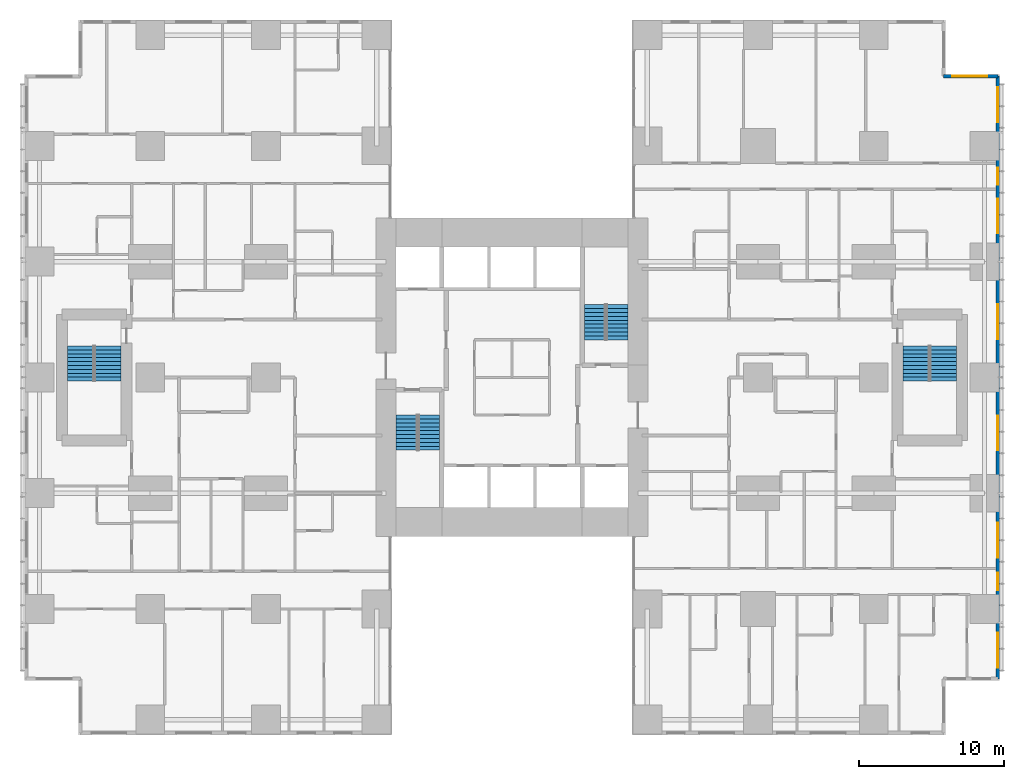
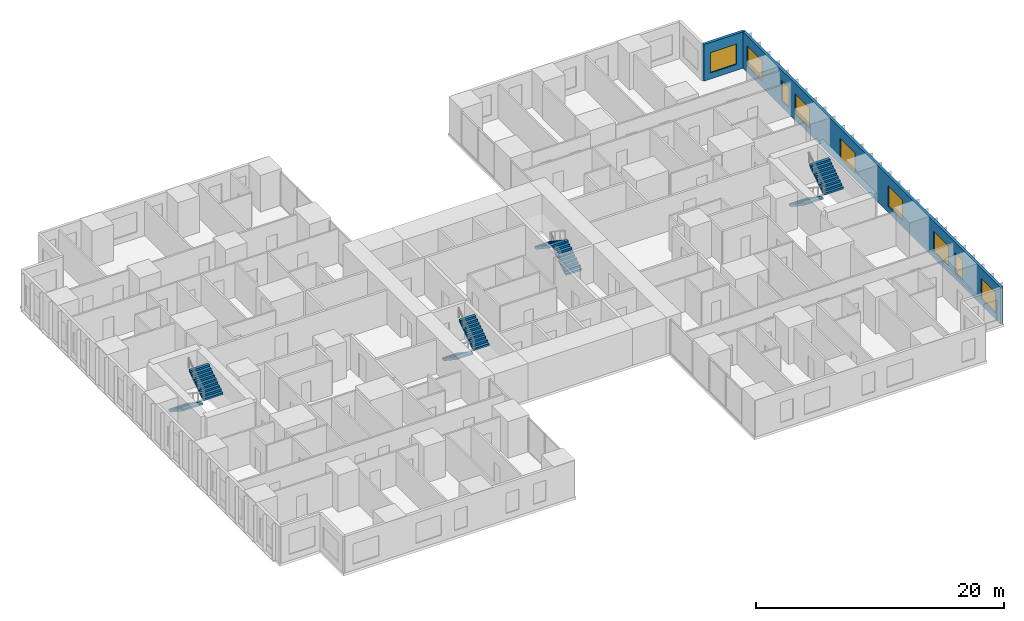
# One storey, part 19 of 20: 9 windows, 8 stair flights, 2 walls, 9 openings, 4 elements without a shape of their own.
"""IFC4 building model written with IfcOpenShell, lengths in metres."""

from ifc_helpers import new_model, si_unit, direction, frame, frame_2d, origin, place, context, subcontext, project, spatial, polyline, rectangle, outline, extrude, material, layer, layer_set, type_object, element, fill, aggregate, save


model = new_model("IFC4")

# Units and contexts
model_context = context("Model", 3, precision=1e-05, world=origin(), true_north=direction((0.0, 1.0)))
body_context = subcontext(model_context, "Body", "Model", "MODEL_VIEW")
ifc_project = project(units=[si_unit("LENGTHUNIT", "METRE"), si_unit("AREAUNIT", "SQUARE_METRE"), si_unit("VOLUMEUNIT", "CUBIC_METRE"), si_unit("PLANEANGLEUNIT", "RADIAN"), si_unit("MASSUNIT", "GRAM", prefix="KILO")], contexts=[model_context])

# Site, building, storey
site_placement = place(None, origin())
site = spatial("IfcSite", under=ifc_project, at=site_placement, CompositionType="ELEMENT")
building_placement = place(site_placement, origin())
building = spatial("IfcBuilding", under=site, at=building_placement, Name="Cleftline Residences", CompositionType="ELEMENT")
storey_placement = place(building_placement, frame((0.0, 0.0, 47.60009765625)))
storey = spatial("IfcBuildingStorey", under=building, at=storey_placement, Name="L11", CompositionType="ELEMENT", Elevation=47.60009765625)

# Wall, openings, windows
ifc_material_1 = material(Name="Rendered reinforced concrete blockwork", Category="masonry")
ifc_layer = layer(ifc_material_1, 0.25)
ifc_layer_set = layer_set([ifc_layer], Name="EXTERNAL WALL 250")
wall_type = type_object("IfcWallType", Name="EXTERNAL WALL 250", PredefinedType="SOLIDWALL", material=ifc_layer_set)
wall_1_placement = place(storey_placement, frame((66.574951171875, 3.175048828125, 0.0), z_axis=(0.0, 0.0, 1.0), x_axis=(0.0, 1.0, 0.0)))
wall_1 = element("IfcWall", 1, at=wall_1_placement, inside=storey, type_object=wall_type, Name="External wall", PredefinedType="SOLIDWALL", context=body_context, shape_type="SweptSolid", body=[
    extrude(rectangle(XDim=41.64990234375, YDim=0.25, at=frame_2d((20.824951171875, 0.0))), origin(), (0.0, 0.0, 1.0), 3.599853515625),
])
opening_1_placement = place(wall_1_placement, frame((0.77490234375, 0.0, 0.60009765625)))
opening_1 = element("IfcOpeningElement", 2, at=opening_1_placement, cuts=wall_1, Name="Opening W6", PredefinedType="OPENING", context=body_context, shape_type="SweptSolid", body=[
    extrude(rectangle(XDim=2.39990234375, YDim=2.0, at=frame_2d((1.199951171875, 1.0))), frame((0.0, 0.135009765625, 0.0), z_axis=(0.0, -1.0, 0.0), x_axis=(1.0, 0.0, 0.0)), (0.0, 0.0, 1.0), 0.27001953125),
])
opening_2_placement = place(wall_1_placement, frame((6.125, 0.0, 0.60009765625)))
opening_2 = element("IfcOpeningElement", 3, at=opening_2_placement, cuts=wall_1, Name="Opening W8", PredefinedType="OPENING", context=body_context, shape_type="SweptSolid", body=[
    extrude(rectangle(XDim=1.199951171875, YDim=2.0, at=frame_2d((0.60009765625, 1.0))), frame((0.0, 0.135009765625, 0.0), z_axis=(0.0, -1.0, 0.0), x_axis=(1.0, 0.0, 0.0)), (0.0, 0.0, 1.0), 0.27001953125),
])
opening_3_placement = place(wall_1_placement, frame((8.375, 0.0, 0.60009765625)))
opening_3 = element("IfcOpeningElement", 4, at=opening_3_placement, cuts=wall_1, Name="Opening W6", PredefinedType="OPENING", context=body_context, shape_type="SweptSolid", body=[
    extrude(rectangle(XDim=2.39990234375, YDim=2.0, at=frame_2d((1.199951171875, 1.0))), frame((0.0, 0.135009765625, 0.0), z_axis=(0.0, -1.0, 0.0), x_axis=(1.0, 0.0, 0.0)), (0.0, 0.0, 1.0), 0.27001953125),
])
opening_4_placement = place(wall_1_placement, frame((15.77490234375, 0.0, 0.60009765625)))
opening_4 = element("IfcOpeningElement", 5, at=opening_4_placement, cuts=wall_1, Name="Opening W6", PredefinedType="OPENING", context=body_context, shape_type="SweptSolid", body=[
    extrude(rectangle(XDim=2.39990234375, YDim=2.0, at=frame_2d((1.199951171875, 1.0))), frame((0.0, 0.135009765625, 0.0), z_axis=(0.0, -1.0, 0.0), x_axis=(1.0, 0.0, 0.0)), (0.0, 0.0, 1.0), 0.27001953125),
])
opening_5_placement = place(wall_1_placement, frame((23.47509765625, 0.0, 0.60009765625)))
opening_5 = element("IfcOpeningElement", 6, at=opening_5_placement, cuts=wall_1, Name="Opening W6", PredefinedType="OPENING", context=body_context, shape_type="SweptSolid", body=[
    extrude(rectangle(XDim=2.39990234375, YDim=2.0, at=frame_2d((1.199951171875, 1.0))), frame((0.0, 0.135009765625, 0.0), z_axis=(0.0, -1.0, 0.0), x_axis=(1.0, 0.0, 0.0)), (0.0, 0.0, 1.0), 0.27001953125),
])
opening_6_placement = place(wall_1_placement, frame((30.77490234375, 0.0, 0.60009765625)))
opening_6 = element("IfcOpeningElement", 7, at=opening_6_placement, cuts=wall_1, Name="Opening W6", PredefinedType="OPENING", context=body_context, shape_type="SweptSolid", body=[
    extrude(rectangle(XDim=2.39990234375, YDim=2.0, at=frame_2d((1.199951171875, 1.0))), frame((0.0, 0.135009765625, 0.0), z_axis=(0.0, -1.0, 0.0), x_axis=(1.0, 0.0, 0.0)), (0.0, 0.0, 1.0), 0.27001953125),
])
opening_7_placement = place(wall_1_placement, frame((34.125, 0.0, 0.60009765625)))
opening_7 = element("IfcOpeningElement", 8, at=opening_7_placement, cuts=wall_1, Name="Opening W8", PredefinedType="OPENING", context=body_context, shape_type="SweptSolid", body=[
    extrude(rectangle(XDim=1.199951171875, YDim=2.0, at=frame_2d((0.60009765625, 1.0))), frame((0.0, 0.135009765625, 0.0), z_axis=(0.0, -1.0, 0.0), x_axis=(1.0, 0.0, 0.0)), (0.0, 0.0, 1.0), 0.27001953125),
])
opening_8_placement = place(wall_1_placement, frame((38.47509765625, 0.0, 0.60009765625)))
opening_8 = element("IfcOpeningElement", 9, at=opening_8_placement, cuts=wall_1, Name="Opening W6", PredefinedType="OPENING", context=body_context, shape_type="SweptSolid", body=[
    extrude(rectangle(XDim=2.39990234375, YDim=2.0, at=frame_2d((1.199951171875, 1.0))), frame((0.0, 0.135009765625, 0.0), z_axis=(0.0, -1.0, 0.0), x_axis=(1.0, 0.0, 0.0)), (0.0, 0.0, 1.0), 0.27001953125),
])
ifc_material_2 = material(Name="Aluminium frame, clear double glazing", Category="aluminium")
window_type_1 = type_object("IfcWindowType", Name="WINDOW 1200X2000", PartitioningType="DOUBLE_PANEL_VERTICAL", PredefinedType="WINDOW", material=ifc_material_2)
window_1_placement = place(opening_2_placement, origin())
window_1 = element("IfcWindow", 10, at=window_1_placement, inside=storey, type_object=window_type_1, Name="Window", OverallHeight=2.0, OverallWidth=1.199951171875, PartitioningType="SINGLE_PANEL", PredefinedType="WINDOW", context=body_context, shape_type="SweptSolid", body=[
    extrude(rectangle(XDim=1.199951171875, YDim=2.0, at=frame_2d((0.60009765625, 1.0))), frame((0.0, 0.030029296875, 0.0), z_axis=(0.0, -1.0, 0.0), x_axis=(1.0, 0.0, 0.0)), (0.0, 0.0, 1.0), 0.06005859375),
])
fill(opening_2, window_1)
window_2_placement = place(opening_7_placement, origin())
window_2 = element("IfcWindow", 11, at=window_2_placement, inside=storey, type_object=window_type_1, Name="Window", OverallHeight=2.0, OverallWidth=1.199951171875, PartitioningType="SINGLE_PANEL", PredefinedType="WINDOW", context=body_context, shape_type="SweptSolid", body=[
    extrude(rectangle(XDim=1.199951171875, YDim=2.0, at=frame_2d((0.60009765625, 1.0))), frame((0.0, 0.030029296875, 0.0), z_axis=(0.0, -1.0, 0.0), x_axis=(1.0, 0.0, 0.0)), (0.0, 0.0, 1.0), 0.06005859375),
])
fill(opening_7, window_2)
ifc_material_3 = material(Name="Aluminium frame, clear double glazing", Category="aluminium")
window_type_2 = type_object("IfcWindowType", Name="WINDOW 2400X2000", PartitioningType="DOUBLE_PANEL_VERTICAL", PredefinedType="WINDOW", material=ifc_material_3)
window_3_placement = place(opening_1_placement, origin())
window_3 = element("IfcWindow", 12, at=window_3_placement, inside=storey, type_object=window_type_2, Name="Window", OverallHeight=2.0, OverallWidth=2.39990234375, PartitioningType="SINGLE_PANEL", PredefinedType="WINDOW", context=body_context, shape_type="SweptSolid", body=[
    extrude(rectangle(XDim=2.39990234375, YDim=2.0, at=frame_2d((1.199951171875, 1.0))), frame((0.0, 0.030029296875, 0.0), z_axis=(0.0, -1.0, 0.0), x_axis=(1.0, 0.0, 0.0)), (0.0, 0.0, 1.0), 0.06005859375),
])
fill(opening_1, window_3)
window_4_placement = place(opening_3_placement, origin())
window_4 = element("IfcWindow", 13, at=window_4_placement, inside=storey, type_object=window_type_2, Name="Window", OverallHeight=2.0, OverallWidth=2.39990234375, PartitioningType="SINGLE_PANEL", PredefinedType="WINDOW", context=body_context, shape_type="SweptSolid", body=[
    extrude(rectangle(XDim=2.39990234375, YDim=2.0, at=frame_2d((1.199951171875, 1.0))), frame((0.0, 0.030029296875, 0.0), z_axis=(0.0, -1.0, 0.0), x_axis=(1.0, 0.0, 0.0)), (0.0, 0.0, 1.0), 0.06005859375),
])
fill(opening_3, window_4)
window_5_placement = place(opening_4_placement, origin())
window_5 = element("IfcWindow", 14, at=window_5_placement, inside=storey, type_object=window_type_2, Name="Window", OverallHeight=2.0, OverallWidth=2.39990234375, PartitioningType="SINGLE_PANEL", PredefinedType="WINDOW", context=body_context, shape_type="SweptSolid", body=[
    extrude(rectangle(XDim=2.39990234375, YDim=2.0, at=frame_2d((1.199951171875, 1.0))), frame((0.0, 0.030029296875, 0.0), z_axis=(0.0, -1.0, 0.0), x_axis=(1.0, 0.0, 0.0)), (0.0, 0.0, 1.0), 0.06005859375),
])
fill(opening_4, window_5)
window_6_placement = place(opening_5_placement, origin())
window_6 = element("IfcWindow", 15, at=window_6_placement, inside=storey, type_object=window_type_2, Name="Window", OverallHeight=2.0, OverallWidth=2.39990234375, PartitioningType="SINGLE_PANEL", PredefinedType="WINDOW", context=body_context, shape_type="SweptSolid", body=[
    extrude(rectangle(XDim=2.39990234375, YDim=2.0, at=frame_2d((1.199951171875, 1.0))), frame((0.0, 0.030029296875, 0.0), z_axis=(0.0, -1.0, 0.0), x_axis=(1.0, 0.0, 0.0)), (0.0, 0.0, 1.0), 0.06005859375),
])
fill(opening_5, window_6)
window_7_placement = place(opening_6_placement, origin())
window_7 = element("IfcWindow", 16, at=window_7_placement, inside=storey, type_object=window_type_2, Name="Window", OverallHeight=2.0, OverallWidth=2.39990234375, PartitioningType="SINGLE_PANEL", PredefinedType="WINDOW", context=body_context, shape_type="SweptSolid", body=[
    extrude(rectangle(XDim=2.39990234375, YDim=2.0, at=frame_2d((1.199951171875, 1.0))), frame((0.0, 0.030029296875, 0.0), z_axis=(0.0, -1.0, 0.0), x_axis=(1.0, 0.0, 0.0)), (0.0, 0.0, 1.0), 0.06005859375),
])
fill(opening_6, window_7)
window_8_placement = place(opening_8_placement, origin())
window_8 = element("IfcWindow", 17, at=window_8_placement, inside=storey, type_object=window_type_2, Name="Window", OverallHeight=2.0, OverallWidth=2.39990234375, PartitioningType="SINGLE_PANEL", PredefinedType="WINDOW", context=body_context, shape_type="SweptSolid", body=[
    extrude(rectangle(XDim=2.39990234375, YDim=2.0, at=frame_2d((1.199951171875, 1.0))), frame((0.0, 0.030029296875, 0.0), z_axis=(0.0, -1.0, 0.0), x_axis=(1.0, 0.0, 0.0)), (0.0, 0.0, 1.0), 0.06005859375),
])
fill(opening_8, window_8)

# Wall, opening, window
wall_2_placement = place(storey_placement, frame((66.574951171875, 44.824951171875, 0.0), z_axis=(0.0, 0.0, 1.0), x_axis=(-1.0, 0.0, 0.0)))
wall_2 = element("IfcWall", 18, at=wall_2_placement, inside=storey, type_object=wall_type, Name="External wall", PredefinedType="SOLIDWALL", context=body_context, shape_type="SweptSolid", body=[
    extrude(rectangle(XDim=3.75, YDim=0.25, at=frame_2d((1.875, 0.0))), origin(), (0.0, 0.0, 1.0), 3.599853515625),
])
opening_9_placement = place(wall_2_placement, frame((0.737548828125, 0.0, 0.60009765625)))
opening_9 = element("IfcOpeningElement", 19, at=opening_9_placement, cuts=wall_2, Name="Opening W6", PredefinedType="OPENING", context=body_context, shape_type="SweptSolid", body=[
    extrude(rectangle(XDim=2.39990234375, YDim=2.0, at=frame_2d((1.199951171875, 1.0))), frame((0.0, 0.135009765625, 0.0), z_axis=(0.0, -1.0, 0.0), x_axis=(1.0, 0.0, 0.0)), (0.0, 0.0, 1.0), 0.27001953125),
])
window_9_placement = place(opening_9_placement, origin())
window_9 = element("IfcWindow", 20, at=window_9_placement, inside=storey, type_object=window_type_2, Name="Window", OverallHeight=2.0, OverallWidth=2.39990234375, PartitioningType="SINGLE_PANEL", PredefinedType="WINDOW", context=body_context, shape_type="SweptSolid", body=[
    extrude(rectangle(XDim=2.39990234375, YDim=2.0, at=frame_2d((1.199951171875, 1.0))), frame((0.0, 0.030029296875, 0.0), z_axis=(0.0, -1.0, 0.0), x_axis=(1.0, 0.0, 0.0)), (0.0, 0.0, 1.0), 0.06005859375),
])
fill(opening_9, window_9)

# Stair, stair flights
ifc_material_4 = material(Name="Concrete B45, stone treads", Category="masonry")
stair_type_1 = type_object("IfcStairType", Name="STAIR A 1450 WIDE 180 RISER", PredefinedType="HALF_TURN_STAIR", material=ifc_material_4)
stair_1_placement = place(storey_placement, origin())
stair_1 = element("IfcStair", 21, at=stair_1_placement, inside=storey, type_object=stair_type_1, Name="Stair A L11", PredefinedType="HALF_TURN_STAIR")
ifc_material_5 = material(Name="Concrete B45", Category="concrete")
stair_flight_type_1 = type_object("IfcStairFlightType", Name="STAIR A FLIGHT 1450X180", PredefinedType="STRAIGHT", material=ifc_material_5)
stair_flight_1_placement = place(storey_placement, frame((25.72509765625, 21.39990234375, 0.0), z_axis=(0.0, 0.0, 1.0), x_axis=(0.0, -1.0, 0.0)))
stair_flight_1 = element("IfcStairFlight", 22, at=stair_flight_1_placement, type_object=stair_flight_type_1, Name="ST-A flight 1", NumberOfRisers=10, NumberOfTreads=9, PredefinedType="STRAIGHT", RiserHeight=0.18, TreadLength=0.27, context=body_context, shape_type="SweptSolid", body=[
    extrude(outline(polyline([(0.0, 0.0), (0.0, 0.013916015625), (0.0, 0.027587890625), (0.0, 0.04150390625), (0.0, 0.055419921875), (0.0, 0.0693359375), (0.0, 0.0830078125), (0.0, 0.096923828125), (0.0, 0.11083984375), (0.0, 0.12451171875), (0.0, 0.138427734375), (0.0, 0.15234375), (0.0, 0.166259765625), (0.0, 0.179931640625), (0.27001953125, 0.179931640625), (0.27001953125, 0.360107421875), (0.5400390625, 0.360107421875), (0.5400390625, 0.5400390625), (0.81005859375, 0.5400390625), (0.81005859375, 0.719970703125), (1.080078125, 0.719970703125), (1.080078125, 0.89990234375), (1.35009765625, 0.89990234375), (1.35009765625, 1.080078125), (1.6201171875, 1.080078125), (1.6201171875, 1.260009765625), (1.889892578125, 1.260009765625), (1.889892578125, 1.43994140625), (2.159912109375, 1.43994140625), (2.159912109375, 1.6201171875), (2.429931640625, 1.6201171875), (2.429931640625, 1.800048828125), (2.429931640625, 1.772216796875), (2.429931640625, 1.74462890625), (2.429931640625, 1.716796875), (2.429931640625, 1.689208984375), (2.429931640625, 1.661376953125), (2.429931640625, 1.6337890625), (2.429931640625, 1.60595703125), (2.429931640625, 1.578369140625), (2.429931640625, 1.550537109375), (2.429931640625, 1.52294921875), (2.429931640625, 1.495361328125), (2.429931640625, 1.467529296875), (2.429931640625, 1.43994140625), (0.270263671875, 0.0), (0.0, 0.0)])), frame((0.0, 0.72509765625, 0.0), z_axis=(0.0, -1.0, 0.0), x_axis=(1.0, 0.0, 0.0)), (0.0, 0.0, 1.0), 1.449951171875),
])
stair_flight_2_placement = place(storey_placement, frame((27.27490234375, 18.969970703125, 1.7998046875), z_axis=(0.0, 0.0, 1.0), x_axis=(0.0, 1.0, 0.0)))
stair_flight_2 = element("IfcStairFlight", 23, at=stair_flight_2_placement, type_object=stair_flight_type_1, Name="ST-A flight 2", NumberOfRisers=10, NumberOfTreads=9, PredefinedType="STRAIGHT", RiserHeight=0.18, TreadLength=0.27, context=body_context, shape_type="SweptSolid", body=[
    extrude(outline(polyline([(0.0, 0.0), (0.0, 0.013916015625), (0.0, 0.027587890625), (0.0, 0.04150390625), (0.0, 0.055419921875), (0.0, 0.0693359375), (0.0, 0.0830078125), (0.0, 0.096923828125), (0.0, 0.11083984375), (0.0, 0.12451171875), (0.0, 0.138427734375), (0.0, 0.15234375), (0.0, 0.166259765625), (0.0, 0.179931640625), (0.27001953125, 0.179931640625), (0.27001953125, 0.360107421875), (0.5400390625, 0.360107421875), (0.5400390625, 0.5400390625), (0.81005859375, 0.5400390625), (0.81005859375, 0.719970703125), (1.080078125, 0.719970703125), (1.080078125, 0.89990234375), (1.35009765625, 0.89990234375), (1.35009765625, 1.080078125), (1.6201171875, 1.080078125), (1.6201171875, 1.260009765625), (1.889892578125, 1.260009765625), (1.889892578125, 1.43994140625), (2.159912109375, 1.43994140625), (2.159912109375, 1.6201171875), (2.429931640625, 1.6201171875), (2.429931640625, 1.800048828125), (2.429931640625, 1.772216796875), (2.429931640625, 1.74462890625), (2.429931640625, 1.716796875), (2.429931640625, 1.689208984375), (2.429931640625, 1.661376953125), (2.429931640625, 1.6337890625), (2.429931640625, 1.60595703125), (2.429931640625, 1.578369140625), (2.429931640625, 1.550537109375), (2.429931640625, 1.52294921875), (2.429931640625, 1.495361328125), (2.429931640625, 1.467529296875), (2.429931640625, 1.43994140625), (0.270263671875, 0.0), (0.0, 0.0)])), frame((0.0, 0.72509765625, 0.0), z_axis=(0.0, -1.0, 0.0), x_axis=(1.0, 0.0, 0.0)), (0.0, 0.0, 1.0), 1.449951171875),
])
aggregate(stair_1, [stair_flight_1, stair_flight_2])

ifc_material_6 = material(Name="Concrete B45, stone treads", Category="masonry")
stair_type_2 = type_object("IfcStairType", Name="STAIR B 1450 WIDE 180 RISER", PredefinedType="HALF_TURN_STAIR", material=ifc_material_6)
stair_2_placement = place(storey_placement, origin())
stair_2 = element("IfcStair", 24, at=stair_2_placement, inside=storey, type_object=stair_type_2, Name="Stair B L11", PredefinedType="HALF_TURN_STAIR")
ifc_material_7 = material(Name="Concrete B45", Category="concrete")
stair_flight_type_2 = type_object("IfcStairFlightType", Name="STAIR B FLIGHT 1450X180", PredefinedType="STRAIGHT", material=ifc_material_7)
stair_flight_3_placement = place(storey_placement, frame((40.27490234375, 26.60009765625, 0.0), z_axis=(0.0, 0.0, 1.0), x_axis=(0.0, 1.0, 0.0)))
stair_flight_3 = element("IfcStairFlight", 25, at=stair_flight_3_placement, type_object=stair_flight_type_2, Name="ST-B flight 1", NumberOfRisers=10, NumberOfTreads=9, PredefinedType="STRAIGHT", RiserHeight=0.18, TreadLength=0.27, context=body_context, shape_type="SweptSolid", body=[
    extrude(outline(polyline([(0.0, 0.0), (0.0, 0.013916015625), (0.0, 0.027587890625), (0.0, 0.04150390625), (0.0, 0.055419921875), (0.0, 0.0693359375), (0.0, 0.0830078125), (0.0, 0.096923828125), (0.0, 0.11083984375), (0.0, 0.12451171875), (0.0, 0.138427734375), (0.0, 0.15234375), (0.0, 0.166259765625), (0.0, 0.179931640625), (0.27001953125, 0.179931640625), (0.27001953125, 0.360107421875), (0.5400390625, 0.360107421875), (0.5400390625, 0.5400390625), (0.81005859375, 0.5400390625), (0.81005859375, 0.719970703125), (1.080078125, 0.719970703125), (1.080078125, 0.89990234375), (1.35009765625, 0.89990234375), (1.35009765625, 1.080078125), (1.6201171875, 1.080078125), (1.6201171875, 1.260009765625), (1.889892578125, 1.260009765625), (1.889892578125, 1.43994140625), (2.159912109375, 1.43994140625), (2.159912109375, 1.6201171875), (2.429931640625, 1.6201171875), (2.429931640625, 1.800048828125), (2.429931640625, 1.772216796875), (2.429931640625, 1.74462890625), (2.429931640625, 1.716796875), (2.429931640625, 1.689208984375), (2.429931640625, 1.661376953125), (2.429931640625, 1.6337890625), (2.429931640625, 1.60595703125), (2.429931640625, 1.578369140625), (2.429931640625, 1.550537109375), (2.429931640625, 1.52294921875), (2.429931640625, 1.495361328125), (2.429931640625, 1.467529296875), (2.429931640625, 1.43994140625), (0.270263671875, 0.0), (0.0, 0.0)])), frame((0.0, 0.72509765625, 0.0), z_axis=(0.0, -1.0, 0.0), x_axis=(1.0, 0.0, 0.0)), (0.0, 0.0, 1.0), 1.449951171875),
])
stair_flight_4_placement = place(storey_placement, frame((38.72509765625, 29.030029296875, 1.7998046875), z_axis=(0.0, 0.0, 1.0), x_axis=(0.0, -1.0, 0.0)))
stair_flight_4 = element("IfcStairFlight", 26, at=stair_flight_4_placement, type_object=stair_flight_type_2, Name="ST-B flight 2", NumberOfRisers=10, NumberOfTreads=9, PredefinedType="STRAIGHT", RiserHeight=0.18, TreadLength=0.27, context=body_context, shape_type="SweptSolid", body=[
    extrude(outline(polyline([(0.0, 0.0), (0.0, 0.013916015625), (0.0, 0.027587890625), (0.0, 0.04150390625), (0.0, 0.055419921875), (0.0, 0.0693359375), (0.0, 0.0830078125), (0.0, 0.096923828125), (0.0, 0.11083984375), (0.0, 0.12451171875), (0.0, 0.138427734375), (0.0, 0.15234375), (0.0, 0.166259765625), (0.0, 0.179931640625), (0.27001953125, 0.179931640625), (0.27001953125, 0.360107421875), (0.5400390625, 0.360107421875), (0.5400390625, 0.5400390625), (0.81005859375, 0.5400390625), (0.81005859375, 0.719970703125), (1.080078125, 0.719970703125), (1.080078125, 0.89990234375), (1.35009765625, 0.89990234375), (1.35009765625, 1.080078125), (1.6201171875, 1.080078125), (1.6201171875, 1.260009765625), (1.889892578125, 1.260009765625), (1.889892578125, 1.43994140625), (2.159912109375, 1.43994140625), (2.159912109375, 1.6201171875), (2.429931640625, 1.6201171875), (2.429931640625, 1.800048828125), (2.429931640625, 1.772216796875), (2.429931640625, 1.74462890625), (2.429931640625, 1.716796875), (2.429931640625, 1.689208984375), (2.429931640625, 1.661376953125), (2.429931640625, 1.6337890625), (2.429931640625, 1.60595703125), (2.429931640625, 1.578369140625), (2.429931640625, 1.550537109375), (2.429931640625, 1.52294921875), (2.429931640625, 1.495361328125), (2.429931640625, 1.467529296875), (2.429931640625, 1.43994140625), (0.270263671875, 0.0), (0.0, 0.0)])), frame((0.0, 0.72509765625, 0.0), z_axis=(0.0, -1.0, 0.0), x_axis=(1.0, 0.0, 0.0)), (0.0, 0.0, 1.0), 1.449951171875),
])
aggregate(stair_2, [stair_flight_3, stair_flight_4])

ifc_material_8 = material(Name="Concrete B45, stone treads", Category="masonry")
stair_type_3 = type_object("IfcStairType", Name="STAIR E 1800 WIDE 180 RISER", PredefinedType="HALF_TURN_STAIR", material=ifc_material_8)
stair_3_placement = place(storey_placement, origin())
stair_3 = element("IfcStair", 27, at=stair_3_placement, inside=storey, type_object=stair_type_3, Name="Stair E L11", PredefinedType="HALF_TURN_STAIR")
ifc_material_9 = material(Name="Concrete B45", Category="concrete")
stair_flight_type_3 = type_object("IfcStairFlightType", Name="STAIR E FLIGHT 1800X180", PredefinedType="STRAIGHT", material=ifc_material_9)
stair_flight_5_placement = place(storey_placement, frame((60.925048828125, 26.175048828125, 0.0), z_axis=(0.0, 0.0, 1.0), x_axis=(0.0, -1.0, 0.0)))
stair_flight_5 = element("IfcStairFlight", 28, at=stair_flight_5_placement, type_object=stair_flight_type_3, Name="ST-E flight 1", NumberOfRisers=10, NumberOfTreads=9, PredefinedType="STRAIGHT", RiserHeight=0.18, TreadLength=0.27, context=body_context, shape_type="SweptSolid", body=[
    extrude(outline(polyline([(0.0, 0.0), (0.0, 0.013916015625), (0.0, 0.027587890625), (0.0, 0.04150390625), (0.0, 0.055419921875), (0.0, 0.0693359375), (0.0, 0.0830078125), (0.0, 0.096923828125), (0.0, 0.11083984375), (0.0, 0.12451171875), (0.0, 0.138427734375), (0.0, 0.15234375), (0.0, 0.166259765625), (0.0, 0.179931640625), (0.27001953125, 0.179931640625), (0.27001953125, 0.360107421875), (0.5400390625, 0.360107421875), (0.5400390625, 0.5400390625), (0.81005859375, 0.5400390625), (0.81005859375, 0.719970703125), (1.080078125, 0.719970703125), (1.080078125, 0.89990234375), (1.35009765625, 0.89990234375), (1.35009765625, 1.080078125), (1.6201171875, 1.080078125), (1.6201171875, 1.260009765625), (1.889892578125, 1.260009765625), (1.889892578125, 1.43994140625), (2.159912109375, 1.43994140625), (2.159912109375, 1.6201171875), (2.429931640625, 1.6201171875), (2.429931640625, 1.800048828125), (2.429931640625, 1.772216796875), (2.429931640625, 1.74462890625), (2.429931640625, 1.716796875), (2.429931640625, 1.689208984375), (2.429931640625, 1.661376953125), (2.429931640625, 1.6337890625), (2.429931640625, 1.60595703125), (2.429931640625, 1.578369140625), (2.429931640625, 1.550537109375), (2.429931640625, 1.52294921875), (2.429931640625, 1.495361328125), (2.429931640625, 1.467529296875), (2.429931640625, 1.43994140625), (0.270263671875, 0.0), (0.0, 0.0)])), frame((0.0, 0.89990234375, 0.0), z_axis=(0.0, -1.0, 0.0), x_axis=(1.0, 0.0, 0.0)), (0.0, 0.0, 1.0), 1.800048828125),
])
stair_flight_6_placement = place(storey_placement, frame((62.824951171875, 23.7451171875, 1.7998046875), z_axis=(0.0, 0.0, 1.0), x_axis=(0.0, 1.0, 0.0)))
stair_flight_6 = element("IfcStairFlight", 29, at=stair_flight_6_placement, type_object=stair_flight_type_3, Name="ST-E flight 2", NumberOfRisers=10, NumberOfTreads=9, PredefinedType="STRAIGHT", RiserHeight=0.18, TreadLength=0.27, context=body_context, shape_type="SweptSolid", body=[
    extrude(outline(polyline([(0.0, 0.0), (0.0, 0.013916015625), (0.0, 0.027587890625), (0.0, 0.04150390625), (0.0, 0.055419921875), (0.0, 0.0693359375), (0.0, 0.0830078125), (0.0, 0.096923828125), (0.0, 0.11083984375), (0.0, 0.12451171875), (0.0, 0.138427734375), (0.0, 0.15234375), (0.0, 0.166259765625), (0.0, 0.179931640625), (0.27001953125, 0.179931640625), (0.27001953125, 0.360107421875), (0.5400390625, 0.360107421875), (0.5400390625, 0.5400390625), (0.81005859375, 0.5400390625), (0.81005859375, 0.719970703125), (1.080078125, 0.719970703125), (1.080078125, 0.89990234375), (1.35009765625, 0.89990234375), (1.35009765625, 1.080078125), (1.6201171875, 1.080078125), (1.6201171875, 1.260009765625), (1.889892578125, 1.260009765625), (1.889892578125, 1.43994140625), (2.159912109375, 1.43994140625), (2.159912109375, 1.6201171875), (2.429931640625, 1.6201171875), (2.429931640625, 1.800048828125), (2.429931640625, 1.772216796875), (2.429931640625, 1.74462890625), (2.429931640625, 1.716796875), (2.429931640625, 1.689208984375), (2.429931640625, 1.661376953125), (2.429931640625, 1.6337890625), (2.429931640625, 1.60595703125), (2.429931640625, 1.578369140625), (2.429931640625, 1.550537109375), (2.429931640625, 1.52294921875), (2.429931640625, 1.495361328125), (2.429931640625, 1.467529296875), (2.429931640625, 1.43994140625), (0.270263671875, 0.0), (0.0, 0.0)])), frame((0.0, 0.89990234375, 0.0), z_axis=(0.0, -1.0, 0.0), x_axis=(1.0, 0.0, 0.0)), (0.0, 0.0, 1.0), 1.800048828125),
])
aggregate(stair_3, [stair_flight_5, stair_flight_6])

ifc_material_10 = material(Name="Concrete B45, stone treads", Category="masonry")
stair_type_4 = type_object("IfcStairType", Name="STAIR W 1800 WIDE 180 RISER", PredefinedType="HALF_TURN_STAIR", material=ifc_material_10)
stair_4_placement = place(storey_placement, origin())
stair_4 = element("IfcStair", 30, at=stair_4_placement, inside=storey, type_object=stair_type_4, Name="Stair W L11", PredefinedType="HALF_TURN_STAIR")
ifc_material_11 = material(Name="Concrete B45", Category="concrete")
stair_flight_type_4 = type_object("IfcStairFlightType", Name="STAIR W FLIGHT 1800X180", PredefinedType="STRAIGHT", material=ifc_material_11)
stair_flight_7_placement = place(storey_placement, frame((3.175048828125, 26.175048828125, 0.0), z_axis=(0.0, 0.0, 1.0), x_axis=(0.0, -1.0, 0.0)))
stair_flight_7 = element("IfcStairFlight", 31, at=stair_flight_7_placement, type_object=stair_flight_type_4, Name="ST-W flight 1", NumberOfRisers=10, NumberOfTreads=9, PredefinedType="STRAIGHT", RiserHeight=0.18, TreadLength=0.27, context=body_context, shape_type="SweptSolid", body=[
    extrude(outline(polyline([(0.0, 0.0), (0.0, 0.013916015625), (0.0, 0.027587890625), (0.0, 0.04150390625), (0.0, 0.055419921875), (0.0, 0.0693359375), (0.0, 0.0830078125), (0.0, 0.096923828125), (0.0, 0.11083984375), (0.0, 0.12451171875), (0.0, 0.138427734375), (0.0, 0.15234375), (0.0, 0.166259765625), (0.0, 0.179931640625), (0.27001953125, 0.179931640625), (0.27001953125, 0.360107421875), (0.5400390625, 0.360107421875), (0.5400390625, 0.5400390625), (0.81005859375, 0.5400390625), (0.81005859375, 0.719970703125), (1.080078125, 0.719970703125), (1.080078125, 0.89990234375), (1.35009765625, 0.89990234375), (1.35009765625, 1.080078125), (1.6201171875, 1.080078125), (1.6201171875, 1.260009765625), (1.889892578125, 1.260009765625), (1.889892578125, 1.43994140625), (2.159912109375, 1.43994140625), (2.159912109375, 1.6201171875), (2.429931640625, 1.6201171875), (2.429931640625, 1.800048828125), (2.429931640625, 1.772216796875), (2.429931640625, 1.74462890625), (2.429931640625, 1.716796875), (2.429931640625, 1.689208984375), (2.429931640625, 1.661376953125), (2.429931640625, 1.6337890625), (2.429931640625, 1.60595703125), (2.429931640625, 1.578369140625), (2.429931640625, 1.550537109375), (2.429931640625, 1.52294921875), (2.429931640625, 1.495361328125), (2.429931640625, 1.467529296875), (2.429931640625, 1.43994140625), (0.270263671875, 0.0), (0.0, 0.0)])), frame((0.0, 0.89990234375, 0.0), z_axis=(0.0, -1.0, 0.0), x_axis=(1.0, 0.0, 0.0)), (0.0, 0.0, 1.0), 1.800048828125),
])
stair_flight_8_placement = place(storey_placement, frame((5.074951171875, 23.7451171875, 1.7998046875), z_axis=(0.0, 0.0, 1.0), x_axis=(0.0, 1.0, 0.0)))
stair_flight_8 = element("IfcStairFlight", 32, at=stair_flight_8_placement, type_object=stair_flight_type_4, Name="ST-W flight 2", NumberOfRisers=10, NumberOfTreads=9, PredefinedType="STRAIGHT", RiserHeight=0.18, TreadLength=0.27, context=body_context, shape_type="SweptSolid", body=[
    extrude(outline(polyline([(0.0, 0.0), (0.0, 0.013916015625), (0.0, 0.027587890625), (0.0, 0.04150390625), (0.0, 0.055419921875), (0.0, 0.0693359375), (0.0, 0.0830078125), (0.0, 0.096923828125), (0.0, 0.11083984375), (0.0, 0.12451171875), (0.0, 0.138427734375), (0.0, 0.15234375), (0.0, 0.166259765625), (0.0, 0.179931640625), (0.27001953125, 0.179931640625), (0.27001953125, 0.360107421875), (0.5400390625, 0.360107421875), (0.5400390625, 0.5400390625), (0.81005859375, 0.5400390625), (0.81005859375, 0.719970703125), (1.080078125, 0.719970703125), (1.080078125, 0.89990234375), (1.35009765625, 0.89990234375), (1.35009765625, 1.080078125), (1.6201171875, 1.080078125), (1.6201171875, 1.260009765625), (1.889892578125, 1.260009765625), (1.889892578125, 1.43994140625), (2.159912109375, 1.43994140625), (2.159912109375, 1.6201171875), (2.429931640625, 1.6201171875), (2.429931640625, 1.800048828125), (2.429931640625, 1.772216796875), (2.429931640625, 1.74462890625), (2.429931640625, 1.716796875), (2.429931640625, 1.689208984375), (2.429931640625, 1.661376953125), (2.429931640625, 1.6337890625), (2.429931640625, 1.60595703125), (2.429931640625, 1.578369140625), (2.429931640625, 1.550537109375), (2.429931640625, 1.52294921875), (2.429931640625, 1.495361328125), (2.429931640625, 1.467529296875), (2.429931640625, 1.43994140625), (0.270263671875, 0.0), (0.0, 0.0)])), frame((0.0, 0.89990234375, 0.0), z_axis=(0.0, -1.0, 0.0), x_axis=(1.0, 0.0, 0.0)), (0.0, 0.0, 1.0), 1.800048828125),
])
aggregate(stair_4, [stair_flight_7, stair_flight_8])

save(model, "model.ifc")
